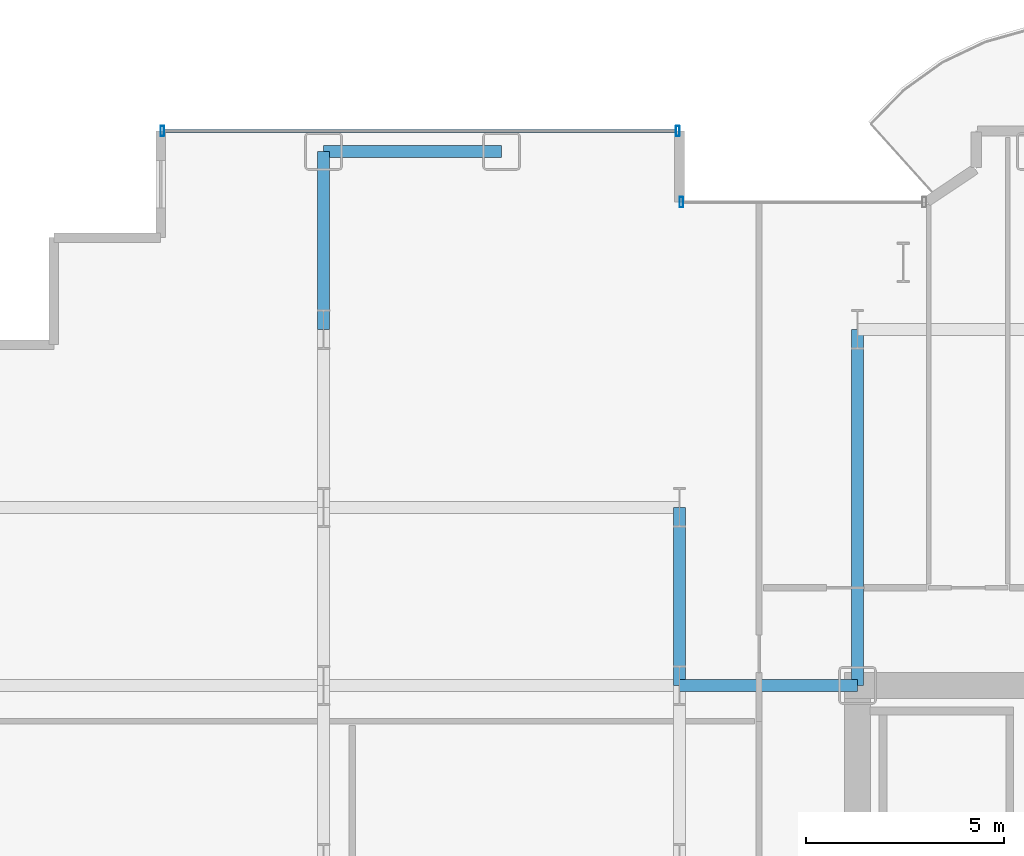
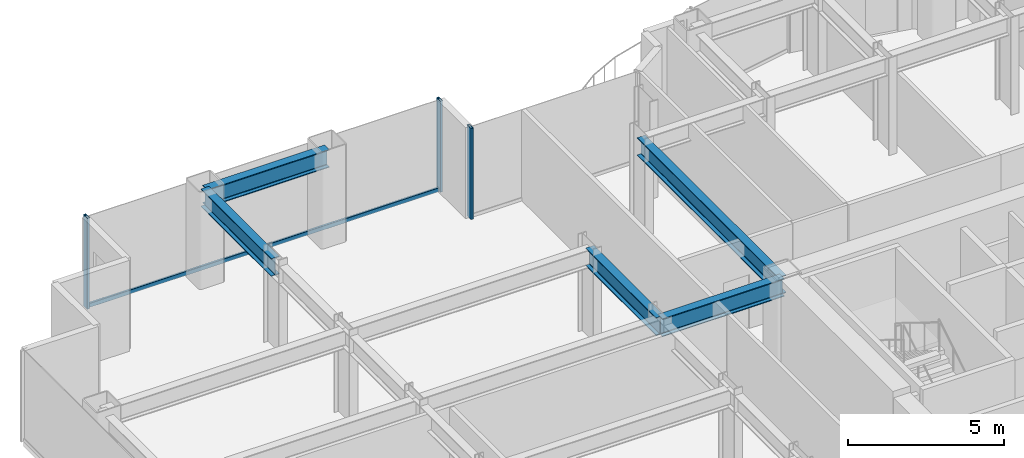
# One storey, part 12 of 29: 5 beams, 4 members, 2 elements without a shape of their own.
"""IFC4 building model written with IfcOpenShell, lengths in metres."""

from ifc_helpers import new_model, si_unit, direction, frame, origin, origin_2d, place, context, subcontext, project, spatial, hollow_rectangle, i_section, extrude, source, transform, mapped, material, layer, layer_set, material_profile, profile_set, type_object, element, aggregate, save


model = new_model("IFC4")

# Units and contexts
model_context = context("Model", 3, precision=1e-05, world=origin(), true_north=direction((0.0, 1.0)))
body_context = subcontext(model_context, "Body", "Model", "MODEL_VIEW")
ifc_project = project(units=[si_unit("LENGTHUNIT", "METRE"), si_unit("AREAUNIT", "SQUARE_METRE"), si_unit("VOLUMEUNIT", "CUBIC_METRE"), si_unit("PLANEANGLEUNIT", "RADIAN"), si_unit("MASSUNIT", "GRAM", prefix="KILO")], contexts=[model_context])

# Site, building, storey
site_placement = place(None, origin())
site = spatial("IfcSite", under=ifc_project, at=site_placement, CompositionType="ELEMENT")
building_placement = place(site_placement, origin())
building = spatial("IfcBuilding", under=site, at=building_placement, Name="Nefas-Gora Pilgrimage Tower", CompositionType="ELEMENT")
storey_placement = place(building_placement, frame((0.0, 0.0, 78.60009765625)))
storey = spatial("IfcBuildingStorey", under=building, at=storey_placement, Name="L18", CompositionType="ELEMENT", Elevation=78.60009765625)

# Beams
ifc_material_1 = material(Name="Steel S355", Category="steel")
ifc_material_profile_1 = material_profile(ifc_material_1, i_section(OverallWidth=0.300048828125, OverallDepth=0.699951171875, WebThickness=0.01708984375, FlangeThickness=0.031982421875, FilletRadius=0.027099609375, at=origin_2d()), Name="HEB 700")
ifc_profile_set_1 = profile_set([ifc_material_profile_1], Name="Steel S355")
beam_type_1 = type_object("IfcBeamType", Name="BM-SPN-HEB600", PredefinedType="SPANDREL", material=ifc_profile_set_1)
shared_shape_1 = source(origin(), body_context, "Body", "SweptSolid", [
    extrude(i_section(OverallWidth=0.300048828125, OverallDepth=0.699951171875, WebThickness=0.01708984375, FlangeThickness=0.031982421875, FilletRadius=0.027099609375, at=origin_2d()), origin(), (0.0, 0.0, 1.0), 4.5),
])
beam_1_placement = place(storey_placement, frame((-24.75, 22.5, 3.199951171875), z_axis=(1.0, 0.0, 0.0), x_axis=(0.0, 1.0, 0.0)))
element("IfcBeam", 1, at=beam_1_placement, inside=storey, type_object=beam_type_1, Name="L18 SP-01 beam", PredefinedType="SPANDREL", context=body_context, shape_type="MappedRepresentation", body=[
    mapped(shared_shape_1, transform((0.0, 0.0, 0.0), x_axis=(1.0, 0.0, 0.0), y_axis=(0.0, 1.0, 0.0), z_axis=(0.0, 0.0, 1.0), scale=1.0)),
])
ifc_material_profile_2 = material_profile(ifc_material_1, i_section(OverallWidth=0.300048828125, OverallDepth=0.699951171875, WebThickness=0.01708984375, FlangeThickness=0.031982421875, FilletRadius=0.027099609375, at=origin_2d()), Name="HEB 700")
ifc_profile_set_2 = profile_set([ifc_material_profile_2], Name="Steel S355")
beam_type_2 = type_object("IfcBeamType", Name="BM-GIR-HEB700", PredefinedType="BEAM", material=ifc_profile_set_2)
shared_shape_2 = source(origin(), body_context, "Body", "SweptSolid", [
    extrude(i_section(OverallWidth=0.300048828125, OverallDepth=0.699951171875, WebThickness=0.01708984375, FlangeThickness=0.031982421875, FilletRadius=0.027099609375, at=origin_2d()), origin(), (0.0, 0.0, 1.0), 9.0),
])
beam_2_placement = place(storey_placement, frame((-11.25, 9.0, 3.199951171875), z_axis=(0.0, 1.0, 0.0), x_axis=(-1.0, 0.0, 0.0)))
element("IfcBeam", 2, at=beam_2_placement, inside=storey, type_object=beam_type_2, Name="L18 G-02 beam", PredefinedType="BEAM", context=body_context, shape_type="MappedRepresentation", body=[
    mapped(shared_shape_2, transform((0.0, 0.0, 0.0), x_axis=(1.0, 0.0, 0.0), y_axis=(0.0, 1.0, 0.0), z_axis=(0.0, 0.0, 1.0), scale=1.0)),
])
shared_shape_3 = source(origin(), body_context, "Body", "SweptSolid", [
    extrude(i_section(OverallWidth=0.300048828125, OverallDepth=0.699951171875, WebThickness=0.01708984375, FlangeThickness=0.031982421875, FilletRadius=0.027099609375, at=origin_2d()), origin(), (0.0, 0.0, 1.0), 4.5),
])
for number, where, z_axis, x_axis, name in (
    (3, (-24.75, 18.0, 3.199951171875), (0.0, 1.0, 0.0), (-1.0, 0.0, 0.0), "L18 G-02 beam"),
    (4, (-15.75, 9.0, 3.199951171875), (0.0, 1.0, 0.0), (-1.0, 0.0, 0.0), "L18 G-02 beam"),
    (5, (-15.75, 9.0, 3.199951171875), (1.0, 0.0, 0.0), (0.0, 1.0, 0.0), "L18 G-02 beam"),
):
    element("IfcBeam", number, at=place(storey_placement, frame(where, z_axis=z_axis, x_axis=x_axis)), inside=storey, type_object=beam_type_2, Name=name, PredefinedType="BEAM", context=body_context, shape_type="MappedRepresentation", body=[
        mapped(shared_shape_3, transform((0.0, 0.0, 0.0), x_axis=(1.0, 0.0, 0.0), y_axis=(0.0, 1.0, 0.0), z_axis=(0.0, 0.0, 1.0), scale=1.0)),
    ])

# Curtain wall, member
ifc_material_2 = material(Name="Dark ceramic-fritted solar-control aluminium-glass curtain wall", Category="aluminium")
ifc_layer_1 = layer(ifc_material_2, 0.219970703125)
ifc_layer_set_1 = layer_set([ifc_layer_1], Name="Dark ceramic-fritted solar-control aluminium-glass curtain wall")
curtain_wall_type_1 = type_object("IfcCurtainWallType", Name="CW-SYS-2", PredefinedType="NOTDEFINED", material=ifc_layer_set_1)
curtain_wall_1_placement = place(storey_placement, origin())
curtain_wall_1 = element("IfcCurtainWall", 6, at=curtain_wall_1_placement, inside=storey, type_object=curtain_wall_type_1, Name="L18 Unitised Curtain Wall CW2", PredefinedType="NOTDEFINED")
ifc_material_3 = material(Name="Anodised architectural aluminium", Category="aluminium")
ifc_material_profile_3 = material_profile(ifc_material_3, hollow_rectangle(XDim=0.080078125, YDim=0.159912109375, WallThickness=0.00439453125, InnerFilletRadius=0.00439453125, OuterFilletRadius=0.009033203125, at=origin_2d()), Name="ALU TRANSOM 80x160")
ifc_profile_set_3 = profile_set([ifc_material_profile_3], Name="Anodised architectural aluminium")
member_type_1 = type_object("IfcMemberType", Name="CWM-TRN-2", PredefinedType="USERDEFINED", material=ifc_profile_set_3)
shared_shape_4 = source(origin(), body_context, "Body", "SweptSolid", [
    extrude(hollow_rectangle(XDim=0.080078125, YDim=0.159912109375, WallThickness=0.00439453125, InnerFilletRadius=0.00439453125, OuterFilletRadius=0.009033203125, at=origin_2d()), origin(), (0.0, 0.0, 1.0), 12.93994140625),
])
member_1_placement = place(storey_placement, frame((-15.840087890625, 23.02001953125, 0.0498046875), z_axis=(-1.0, 0.0, 0.0), x_axis=(0.0, -1.0, 0.0)))
member_1 = element("IfcMember", 7, at=member_1_placement, type_object=member_type_1, Name="CW2 Spandrel Transom", ObjectType="TRANSOM", PredefinedType="USERDEFINED", context=body_context, shape_type="MappedRepresentation", body=[
    mapped(shared_shape_4, transform((0.0, 0.0, 0.0), x_axis=(1.0, 0.0, 0.0), y_axis=(0.0, 1.0, 0.0), z_axis=(0.0, 0.0, 1.0), scale=1.0)),
])

ifc_layer_2 = layer(ifc_material_2, 0.219970703125)
ifc_layer_set_2 = layer_set([ifc_layer_2], Name="Dark ceramic-fritted solar-control aluminium-glass curtain wall")
curtain_wall_type_2 = type_object("IfcCurtainWallType", Name="CW-SYS-5", PredefinedType="NOTDEFINED", material=ifc_layer_set_2)
curtain_wall_2_placement = place(storey_placement, origin())
curtain_wall_2 = element("IfcCurtainWall", 8, at=curtain_wall_2_placement, inside=storey, type_object=curtain_wall_type_2, Name="L18 Unitised Curtain Wall CW5", PredefinedType="NOTDEFINED")
ifc_material_profile_4 = material_profile(ifc_material_3, hollow_rectangle(XDim=0.090087890625, YDim=0.260009765625, WallThickness=0.006103515625, InnerFilletRadius=0.006103515625, OuterFilletRadius=0.011962890625, at=origin_2d()), Name="ALU MULLION 90x260")
ifc_profile_set_4 = profile_set([ifc_material_profile_4], Name="Anodised architectural aluminium")
member_type_2 = type_object("IfcMemberType", Name="CWM-MUL-5", PredefinedType="MULLION", material=ifc_profile_set_4)
shared_shape_5 = source(origin(), body_context, "Body", "SweptSolid", [
    extrude(hollow_rectangle(XDim=0.090087890625, YDim=0.260009765625, WallThickness=0.006103515625, InnerFilletRadius=0.006103515625, OuterFilletRadius=0.011962890625, at=origin_2d()), origin(), (0.0, 0.0, 1.0), 3.5498046875),
])
member_2_placement = place(storey_placement, frame((-15.705078125, 21.219970703125, 0.0), z_axis=(0.0, 0.0, 1.0), x_axis=(-1.0, 0.0, 0.0)))
member_2 = element("IfcMember", 9, at=member_2_placement, type_object=member_type_2, Name="CW5 Mullion 2", PredefinedType="MULLION", context=body_context, shape_type="MappedRepresentation", body=[
    mapped(shared_shape_5, transform((0.0, 0.0, 0.0), x_axis=(1.0, 0.0, 0.0), y_axis=(0.0, 1.0, 0.0), z_axis=(0.0, 0.0, 1.0), scale=1.0)),
])
aggregate(curtain_wall_2, [member_2])

# Member
ifc_material_profile_5 = material_profile(ifc_material_3, hollow_rectangle(XDim=0.090087890625, YDim=0.260009765625, WallThickness=0.006103515625, InnerFilletRadius=0.006103515625, OuterFilletRadius=0.011962890625, at=origin_2d()), Name="ALU MULLION 90x260")
ifc_profile_set_5 = profile_set([ifc_material_profile_5], Name="Anodised architectural aluminium")
member_type_3 = type_object("IfcMemberType", Name="CWM-MUL-2", PredefinedType="MULLION", material=ifc_profile_set_5)
shared_shape_6 = source(origin(), body_context, "Body", "SweptSolid", [
    extrude(hollow_rectangle(XDim=0.090087890625, YDim=0.260009765625, WallThickness=0.006103515625, InnerFilletRadius=0.006103515625, OuterFilletRadius=0.011962890625, at=origin_2d()), origin(), (0.0, 0.0, 1.0), 3.5498046875),
])
member_3_placement = place(storey_placement, frame((-15.794921875, 23.02001953125, 0.0), z_axis=(0.0, 0.0, 1.0), x_axis=(-1.0, 0.0, 0.0)))
member_3 = element("IfcMember", 10, at=member_3_placement, type_object=member_type_3, Name="CW2 Mullion 1", PredefinedType="MULLION", context=body_context, shape_type="MappedRepresentation", body=[
    mapped(shared_shape_6, transform((0.0, 0.0, 0.0), x_axis=(1.0, 0.0, 0.0), y_axis=(0.0, 1.0, 0.0), z_axis=(0.0, 0.0, 1.0), scale=1.0)),
])

member_4_placement = place(storey_placement, frame((-28.824951171875, 23.02001953125, 0.0), z_axis=(0.0, 0.0, 1.0), x_axis=(-1.0, 0.0, 0.0)))
member_4 = element("IfcMember", 11, at=member_4_placement, type_object=member_type_3, Name="CW2 Mullion 2", PredefinedType="MULLION", context=body_context, shape_type="MappedRepresentation", body=[
    mapped(shared_shape_6, transform((0.0, 0.0, 0.0), x_axis=(1.0, 0.0, 0.0), y_axis=(0.0, 1.0, 0.0), z_axis=(0.0, 0.0, 1.0), scale=1.0)),
])

aggregate(curtain_wall_1, [member_3, member_4, member_1])

save(model, "model.ifc")
